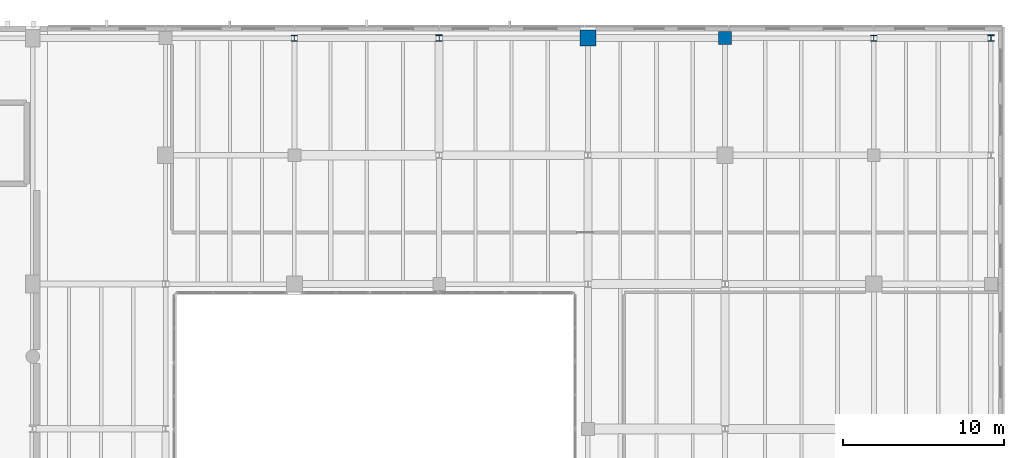
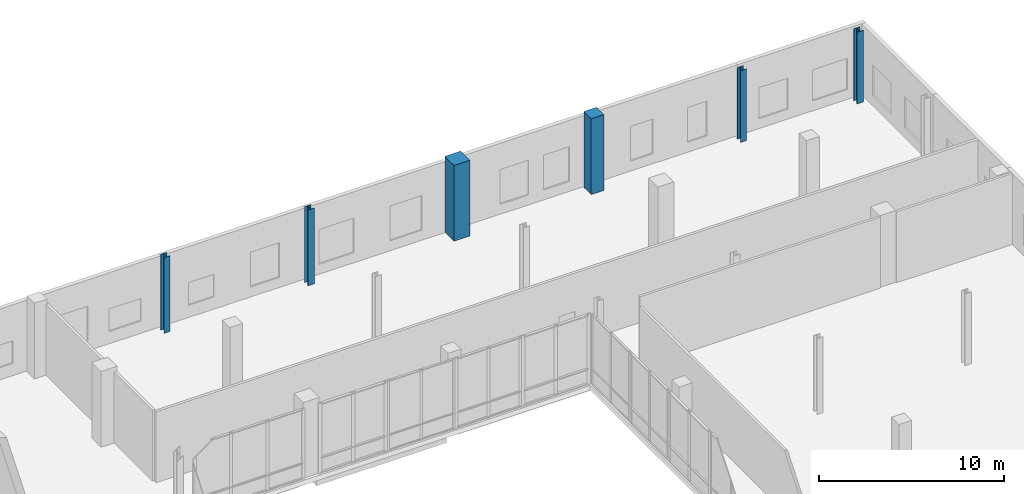
# One storey, part 16 of 81: 6 columns.
"""IFC4 building model written with IfcOpenShell, lengths in metres."""

from ifc_helpers import new_model, si_unit, direction, frame, origin, origin_2d, place, context, subcontext, project, spatial, rectangle, i_section, extrude, material, material_profile, profile_set, type_object, element, save


model = new_model("IFC4")

# Units and contexts
model_context = context("Model", 3, precision=1e-05, world=origin(), true_north=direction((0.0, 1.0)))
body_context = subcontext(model_context, "Body", "Model", "MODEL_VIEW")
ifc_project = project(units=[si_unit("LENGTHUNIT", "METRE"), si_unit("AREAUNIT", "SQUARE_METRE"), si_unit("VOLUMEUNIT", "CUBIC_METRE"), si_unit("PLANEANGLEUNIT", "RADIAN"), si_unit("MASSUNIT", "GRAM", prefix="KILO")], contexts=[model_context])

# Site, building, storey
site_placement = place(None, origin())
site = spatial("IfcSite", under=ifc_project, at=site_placement, CompositionType="ELEMENT")
building_placement = place(site_placement, origin())
building = spatial("IfcBuilding", under=site, at=building_placement, Name="Trimount Lyric Opera House", CompositionType="ELEMENT")
storey_placement = place(building_placement, frame((0.0, 0.0, 5.0)))
storey = spatial("IfcBuildingStorey", under=building, at=storey_placement, Name="L01", CompositionType="ELEMENT", Elevation=5.0)

# Columns
ifc_material_1 = material(Name="Steel ASTM A992 Grade 50", Category="steel")
ifc_material_profile_1 = material_profile(ifc_material_1, i_section(OverallWidth=0.39892578125, OverallDepth=0.385986328125, WebThickness=0.02099609375, FlangeThickness=0.033203125, FilletRadius=0.01611328125, at=origin_2d()), Name="W14X176")
ifc_profile_set_1 = profile_set([ifc_material_profile_1], Name="Steel ASTM A992 Grade 50")
column_type_1 = type_object("IfcColumnType", Name="C-03", PredefinedType="COLUMN", material=ifc_profile_set_1)
column_1_placement = place(storey_placement, frame((139.0, 117.280029296875, 0.0), z_axis=(0.0, 0.0, 1.0), x_axis=(1.0, 0.0, 0.0)))
element("IfcColumn", 1, at=column_1_placement, inside=storey, type_object=column_type_1, Name="L01 column 16/P", PredefinedType="COLUMN", context=body_context, shape_type="SweptSolid", body=[
    extrude(i_section(OverallWidth=0.39892578125, OverallDepth=0.385986328125, WebThickness=0.02099609375, FlangeThickness=0.033203125, FilletRadius=0.01611328125, at=origin_2d()), origin(), (0.0, 0.0, 1.0), 5.0),
])
column_2_placement = place(storey_placement, frame((173.280029296875, 117.280029296875, 0.0), z_axis=(0.0, 0.0, 1.0), x_axis=(1.0, 0.0, 0.0)))
element("IfcColumn", 2, at=column_2_placement, inside=storey, type_object=column_type_1, Name="L01 column 20/P", PredefinedType="COLUMN", context=body_context, shape_type="SweptSolid", body=[
    extrude(i_section(OverallWidth=0.39892578125, OverallDepth=0.385986328125, WebThickness=0.02099609375, FlangeThickness=0.033203125, FilletRadius=0.01611328125, at=origin_2d()), origin(), (0.0, 0.0, 1.0), 4.72998046875),
])
ifc_material_2 = material(Name="Steel ASTM A992 Grade 50", Category="steel")
ifc_material_profile_2 = material_profile(ifc_material_2, i_section(OverallWidth=0.373046875, OverallDepth=0.367919921875, WebThickness=0.014892578125, FlangeThickness=0.02392578125, FilletRadius=0.014892578125, at=origin_2d()), Name="W14X120")
ifc_profile_set_2 = profile_set([ifc_material_profile_2], Name="Steel ASTM A992 Grade 50")
column_type_2 = type_object("IfcColumnType", Name="C-08", PredefinedType="COLUMN", material=ifc_profile_set_2)
column_3_placement = place(storey_placement, frame((130.0, 117.280029296875, 0.0), z_axis=(0.0, 0.0, 1.0), x_axis=(1.0, 0.0, 0.0)))
element("IfcColumn", 3, at=column_3_placement, inside=storey, type_object=column_type_2, Name="L01 column 15/P", PredefinedType="COLUMN", context=body_context, shape_type="SweptSolid", body=[
    extrude(i_section(OverallWidth=0.373046875, OverallDepth=0.367919921875, WebThickness=0.014892578125, FlangeThickness=0.02392578125, FilletRadius=0.014892578125, at=origin_2d()), origin(), (0.0, 0.0, 1.0), 5.0),
])
column_4_placement = place(storey_placement, frame((166.0, 117.280029296875, 0.0), z_axis=(0.0, 0.0, 1.0), x_axis=(1.0, 0.0, 0.0)))
element("IfcColumn", 4, at=column_4_placement, inside=storey, type_object=column_type_2, Name="L01 column 19/P", PredefinedType="COLUMN", context=body_context, shape_type="SweptSolid", body=[
    extrude(i_section(OverallWidth=0.373046875, OverallDepth=0.367919921875, WebThickness=0.014892578125, FlangeThickness=0.02392578125, FilletRadius=0.014892578125, at=origin_2d()), origin(), (0.0, 0.0, 1.0), 4.72998046875),
])
ifc_material_3 = material(Name="Concrete C50/60", Category="concrete")
ifc_material_profile_3 = material_profile(ifc_material_3, rectangle(XDim=1.0, YDim=1.0, at=origin_2d()), Name="RC1000X1000")
ifc_profile_set_3 = profile_set([ifc_material_profile_3], Name="Concrete C50/60")
column_type_3 = type_object("IfcColumnType", Name="C-12", PredefinedType="COLUMN", material=ifc_profile_set_3)
column_5_placement = place(storey_placement, frame((148.239990234375, 117.280029296875, 0.0), z_axis=(0.0, 0.0, 1.0), x_axis=(1.0, 0.0, 0.0)))
element("IfcColumn", 5, at=column_5_placement, inside=storey, type_object=column_type_3, Name="L01 column 17/P", PredefinedType="COLUMN", context=body_context, shape_type="SweptSolid", body=[
    extrude(rectangle(XDim=1.0, YDim=1.0, at=origin_2d()), origin(), (0.0, 0.0, 1.0), 5.0),
])
ifc_material_4 = material(Name="Concrete C40/50", Category="concrete")
ifc_material_profile_4 = material_profile(ifc_material_4, rectangle(XDim=0.800048828125, YDim=0.800048828125, at=origin_2d()), Name="RC800X800")
ifc_profile_set_4 = profile_set([ifc_material_profile_4], Name="Concrete C40/50")
column_type_4 = type_object("IfcColumnType", Name="C-14", PredefinedType="COLUMN", material=ifc_profile_set_4)
column_6_placement = place(storey_placement, frame((156.760009765625, 117.280029296875, 0.0), z_axis=(0.0, 0.0, 1.0), x_axis=(1.0, 0.0, 0.0)))
element("IfcColumn", 6, at=column_6_placement, inside=storey, type_object=column_type_4, Name="L01 column 18/P", PredefinedType="COLUMN", context=body_context, shape_type="SweptSolid", body=[
    extrude(rectangle(XDim=0.800048828125, YDim=0.800048828125, at=origin_2d()), origin(), (0.0, 0.0, 1.0), 5.0),
])

save(model, "model.ifc")
